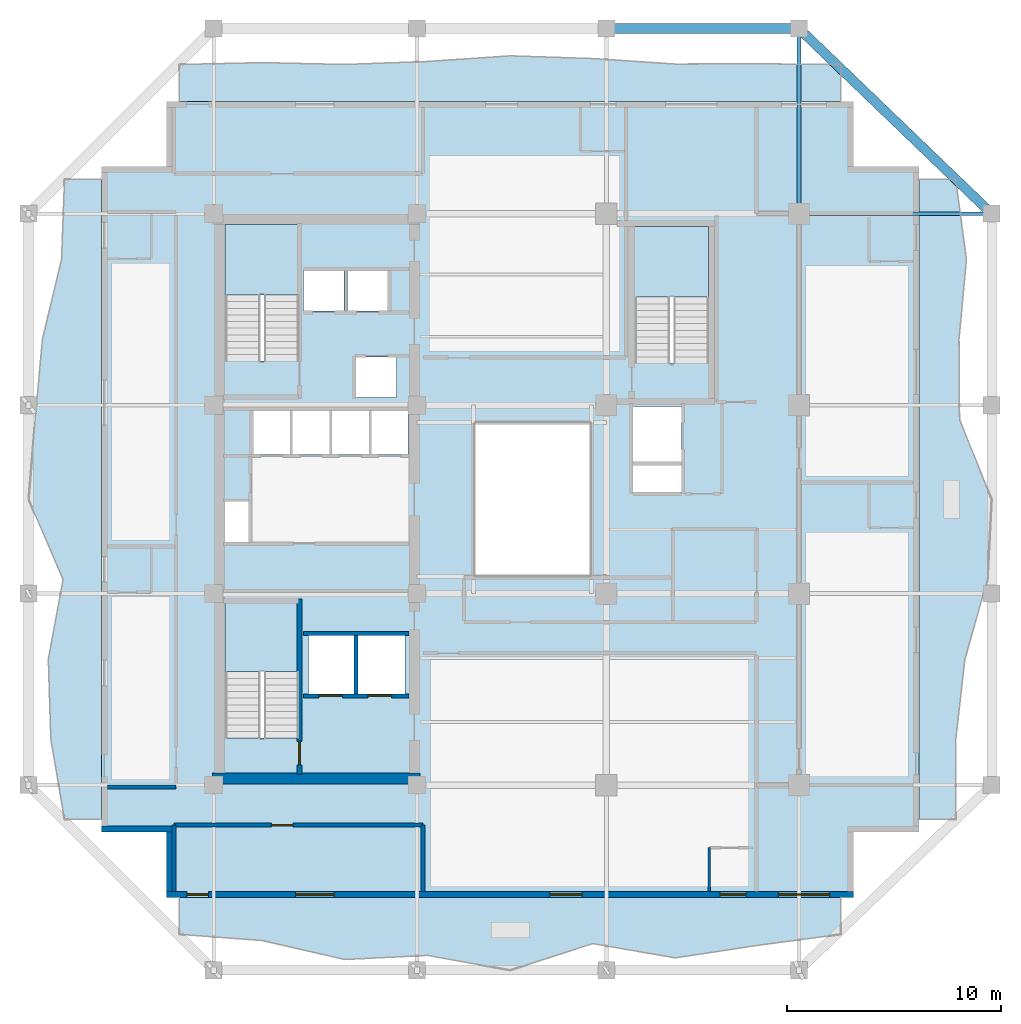
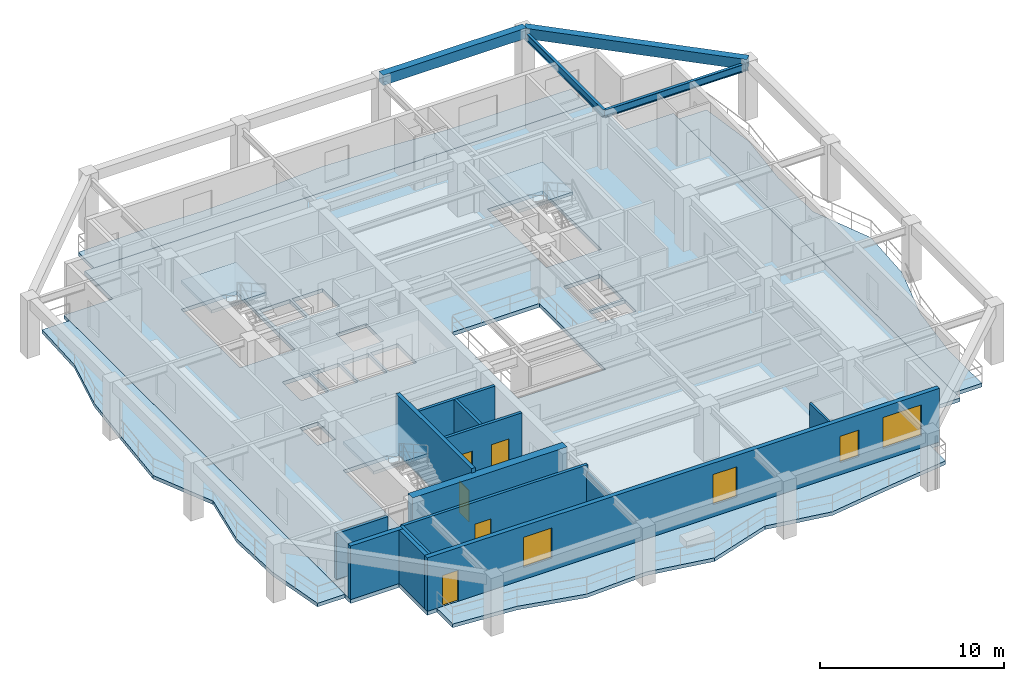
# One storey, part 2 of 10: 13 walls, 8 slabs, 5 doors, 4 beams, 4 windows, 9 openings, 3 elements without a shape of their own.
"""IFC4 building model written with IfcOpenShell, lengths in metres."""

from ifc_helpers import new_model, si_unit, direction, frame, frame_2d, origin, origin_2d, place, context, subcontext, project, spatial, polyline, rectangle, i_section, outline, extrude, material, layer, layer_set, material_profile, profile_set, type_object, element, fill, aggregate, save


model = new_model("IFC4")

# Units and contexts
model_context = context("Model", 3, precision=1e-05, world=origin(), true_north=direction((0.0, 1.0)))
body_context = subcontext(model_context, "Body", "Model", "MODEL_VIEW")
ifc_project = project(units=[si_unit("LENGTHUNIT", "METRE"), si_unit("AREAUNIT", "SQUARE_METRE"), si_unit("VOLUMEUNIT", "CUBIC_METRE"), si_unit("PLANEANGLEUNIT", "RADIAN"), si_unit("MASSUNIT", "GRAM", prefix="KILO")], contexts=[model_context])

# Site, building, storey
site_placement = place(None, origin())
site = spatial("IfcSite", under=ifc_project, at=site_placement, CompositionType="ELEMENT")
building_placement = place(site_placement, origin())
building = spatial("IfcBuilding", under=site, at=building_placement, Name="Kundavana Baori Tower", CompositionType="ELEMENT")
storey_placement = place(building_placement, frame((0.0, 0.0, 150.199951171875)))
storey = spatial("IfcBuildingStorey", under=building, at=storey_placement, Name="L36", CompositionType="ELEMENT", Elevation=150.199951171875)

# Beams
ifc_material_1 = material(Name="Concrete C50/60", Category="concrete")
ifc_material_profile_1 = material_profile(ifc_material_1, rectangle(XDim=0.449951171875, YDim=0.679931640625, at=origin_2d()), Name="RC BM 450x680")
ifc_profile_set_1 = profile_set([ifc_material_profile_1], Name="Concrete C50/60")
beam_type_1 = type_object("IfcBeamType", Name="BM-PF-680", PredefinedType="SPANDREL", material=ifc_profile_set_1)
beam_1_placement = place(storey_placement, frame((33.800048828125, 50.60009765625, 3.510009765625), z_axis=(1.0, 0.0, 0.0), x_axis=(0.0, 1.0, 0.0)))
element("IfcBeam", 1, at=beam_1_placement, inside=storey, type_object=beam_type_1, Name="L36 Perimeter Frame Ring Beam N3", PredefinedType="SPANDREL", context=body_context, shape_type="SweptSolid", body=[
    extrude(rectangle(XDim=0.449951171875, YDim=0.679931640625, at=origin_2d()), origin(), (0.0, 0.0, 1.0), 9.0),
])
beam_2_placement = place(storey_placement, frame((42.800048828125, 50.60009765625, 3.510009765625), z_axis=(0.720981122985, -0.692954702921, 0.0), x_axis=(0.692954702921, 0.720981122985, 0.0)))
element("IfcBeam", 2, at=beam_2_placement, inside=storey, type_object=beam_type_1, Name="L36 Notched Corner Perimeter Beam NE", PredefinedType="SPANDREL", context=body_context, shape_type="SweptSolid", body=[
    extrude(rectangle(XDim=0.449951171875, YDim=0.679931640625, at=origin_2d()), origin(), (0.0, 0.0, 1.0), 12.48291015625),
])
ifc_material_2 = material(Name="Structural Steel S355JR", Category="steel")
ifc_material_profile_2 = material_profile(ifc_material_2, i_section(OverallWidth=0.179931640625, OverallDepth=0.5, WebThickness=0.01025390625, FlangeThickness=0.01708984375, FilletRadius=0.01708984375, at=origin_2d()), Name="ISMB 500")
ifc_profile_set_2 = profile_set([ifc_material_profile_2], Name="Structural Steel S355JR")
beam_type_2 = type_object("IfcBeamType", Name="BM-TIE-500", PredefinedType="BEAM", material=ifc_profile_set_2)
beam_3_placement = place(storey_placement, frame((42.800048828125, 41.949951171875, 3.300048828125), z_axis=(0.0, 1.0, 0.0), x_axis=(-1.0, 0.0, 0.0)))
element("IfcBeam", 3, at=beam_3_placement, inside=storey, type_object=beam_type_2, Name="L36 North Radial Loggia Tie Beam N4", PredefinedType="BEAM", context=body_context, shape_type="SweptSolid", body=[
    extrude(i_section(OverallWidth=0.179931640625, OverallDepth=0.5, WebThickness=0.01025390625, FlangeThickness=0.01708984375, FilletRadius=0.01708984375, at=origin_2d()), origin(), (0.0, 0.0, 1.0), 8.650146484375),
])
beam_4_placement = place(storey_placement, frame((42.800048828125, 41.949951171875, 3.300048828125), z_axis=(1.0, 0.0, 0.0), x_axis=(0.0, 1.0, 0.0)))
element("IfcBeam", 4, at=beam_4_placement, inside=storey, type_object=beam_type_2, Name="L36 East Radial Loggia Tie Beam E4", PredefinedType="BEAM", context=body_context, shape_type="SweptSolid", body=[
    extrude(i_section(OverallWidth=0.179931640625, OverallDepth=0.5, WebThickness=0.01025390625, FlangeThickness=0.01708984375, FilletRadius=0.01708984375, at=origin_2d()), origin(), (0.0, 0.0, 1.0), 9.0),
])

# Slab
ifc_material_3 = material(Name="Concrete C40/50", Category="concrete")
ifc_layer_1 = layer(ifc_material_3, 0.25, Name="SLB-FLR-250")
ifc_layer_set_1 = layer_set([ifc_layer_1], Name="Concrete C40/50")
slab_type_1 = type_object("IfcSlabType", Name="SLB-FLR-250", PredefinedType="FLOOR", material=ifc_layer_set_1)
slab_1_placement = place(storey_placement, frame((0.0, 0.0, -0.25)))
element("IfcSlab", 5, at=slab_1_placement, inside=storey, type_object=slab_type_1, Name="L36 Structural Floor Slab", PredefinedType="FLOOR", context=body_context, shape_type="SweptSolid", body=[
    extrude(outline(polyline([(13.25, 10.0), (45.35009765625, 10.0), (45.35009765625, 13.050048828125), (48.39990234375, 13.050048828125), (48.39990234375, 44.14990234375), (45.35009765625, 44.14990234375), (45.35009765625, 47.199951171875), (13.25, 47.199951171875), (13.25, 44.14990234375), (10.199951171875, 44.14990234375), (10.199951171875, 13.050048828125), (13.25, 13.050048828125), (13.25, 10.0)]), holes=[polyline([(19.43994140625, 17.4619140625), (19.43994140625, 23.85009765625), (15.97998046875, 23.85009765625), (15.97998046875, 17.4619140625), (19.43994140625, 17.4619140625)]), polyline([(19.43994140625, 35.06201171875), (19.43994140625, 41.449951171875), (15.97998046875, 41.449951171875), (15.97998046875, 35.06201171875), (19.43994140625, 35.06201171875)]), polyline([(38.580078125, 34.9619140625), (38.580078125, 41.35009765625), (35.1201171875, 41.35009765625), (35.1201171875, 34.9619140625), (38.580078125, 34.9619140625)]), polyline([(17.300048828125, 30.699951171875), (19.02001953125, 30.699951171875), (19.02001953125, 32.75), (17.300048828125, 32.75), (17.300048828125, 30.699951171875)]), polyline([(19.139892578125, 30.699951171875), (20.860107421875, 30.699951171875), (20.860107421875, 32.75), (19.139892578125, 32.75), (19.139892578125, 30.699951171875)]), polyline([(20.97998046875, 30.699951171875), (22.699951171875, 30.699951171875), (22.699951171875, 32.75), (20.97998046875, 32.75), (20.97998046875, 30.699951171875)]), polyline([(22.820068359375, 30.699951171875), (24.5400390625, 30.699951171875), (24.5400390625, 32.75), (22.820068359375, 32.75), (22.820068359375, 30.699951171875)]), polyline([(19.64990234375, 37.39990234375), (21.550048828125, 37.39990234375), (21.550048828125, 39.300048828125), (19.64990234375, 39.300048828125), (19.64990234375, 37.39990234375)]), polyline([(21.699951171875, 37.39990234375), (23.60009765625, 37.39990234375), (23.60009765625, 39.300048828125), (21.699951171875, 39.300048828125), (21.699951171875, 37.39990234375)]), polyline([(22.10009765625, 33.35009765625), (24.0, 33.35009765625), (24.0, 35.25), (22.10009765625, 35.25), (22.10009765625, 33.35009765625)]), polyline([(19.8798828125, 19.5), (22.02001953125, 19.5), (22.02001953125, 22.25), (19.8798828125, 22.25), (19.8798828125, 19.5)]), polyline([(22.179931640625, 19.5), (24.3798828125, 19.5), (24.3798828125, 22.25), (22.179931640625, 22.25), (22.179931640625, 19.5)]), polyline([(35.050048828125, 30.35009765625), (37.300048828125, 30.35009765625), (37.300048828125, 32.949951171875), (35.050048828125, 32.949951171875), (35.050048828125, 30.35009765625)]), polyline([(15.949951171875, 26.60009765625), (17.080078125, 26.60009765625), (17.080078125, 28.5), (15.949951171875, 28.5), (15.949951171875, 26.60009765625)]), polyline([(35.050048828125, 28.949951171875), (37.300048828125, 28.949951171875), (37.300048828125, 30.199951171875), (35.050048828125, 30.199951171875), (35.050048828125, 28.949951171875)]), polyline([(27.60009765625, 25.0), (33.10009765625, 25.0), (33.10009765625, 32.199951171875), (27.60009765625, 32.199951171875), (27.60009765625, 25.0)])]), origin(), (0.0, 0.0, 1.0), 0.25),
])

# Stair, slab
ifc_material_4 = material(Name="Concrete C40/50", Category="concrete")
stair_type = type_object("IfcStairType", Name="STR-DOG-1650", PredefinedType="HALF_TURN_STAIR", material=ifc_material_4)
stair_1_placement = place(storey_placement, origin())
stair_1 = element("IfcStair", 6, at=stair_1_placement, inside=storey, type_object=stair_type, Name="L36 Protected Exit Stair ST1", PredefinedType="HALF_TURN_STAIR")
ifc_material_5 = material(Name="Concrete C40/50", Category="concrete")
ifc_layer_2 = layer(ifc_material_5, 0.199951171875, Name="SLB-LND-200")
ifc_layer_set_2 = layer_set([ifc_layer_2], Name="Concrete C40/50")
slab_type_2 = type_object("IfcSlabType", Name="SLB-LND-200", PredefinedType="LANDING", material=ifc_layer_set_2)
slab_2_placement = place(storey_placement, frame((0.0, 0.0, 1.72509765625)))
slab_2 = element("IfcSlab", 7, at=slab_2_placement, type_object=slab_type_2, Name="ST1 landing 1", PredefinedType="LANDING", context=body_context, shape_type="SweptSolid", body=[
    extrude(outline(polyline([(19.43994140625, 20.550048828125), (19.43994140625, 23.85009765625), (15.97998046875, 23.85009765625), (15.97998046875, 20.550048828125), (19.43994140625, 20.550048828125)])), origin(), (0.0, 0.0, 1.0), 0.199951171875),
])
aggregate(stair_1, [slab_2])

stair_2_placement = place(storey_placement, origin())
stair_2 = element("IfcStair", 8, at=stair_2_placement, inside=storey, type_object=stair_type, Name="L36 Protected Exit Stair ST2", PredefinedType="HALF_TURN_STAIR")
slab_3_placement = place(storey_placement, frame((0.0, 0.0, 1.72509765625)))
slab_3 = element("IfcSlab", 9, at=slab_3_placement, type_object=slab_type_2, Name="ST2 landing 1", PredefinedType="LANDING", context=body_context, shape_type="SweptSolid", body=[
    extrude(outline(polyline([(19.43994140625, 38.14990234375), (19.43994140625, 41.449951171875), (15.97998046875, 41.449951171875), (15.97998046875, 38.14990234375), (19.43994140625, 38.14990234375)])), origin(), (0.0, 0.0, 1.0), 0.199951171875),
])
aggregate(stair_2, [slab_3])

stair_3_placement = place(storey_placement, origin())
stair_3 = element("IfcStair", 10, at=stair_3_placement, inside=storey, type_object=stair_type, Name="L36 Protected Exit Stair ST3", PredefinedType="HALF_TURN_STAIR")
slab_4_placement = place(storey_placement, frame((0.0, 0.0, 1.72509765625)))
slab_4 = element("IfcSlab", 11, at=slab_4_placement, type_object=slab_type_2, Name="ST3 landing 1", PredefinedType="LANDING", context=body_context, shape_type="SweptSolid", body=[
    extrude(outline(polyline([(38.580078125, 38.050048828125), (38.580078125, 41.35009765625), (35.1201171875, 41.35009765625), (35.1201171875, 38.050048828125), (38.580078125, 38.050048828125)])), origin(), (0.0, 0.0, 1.0), 0.199951171875),
])
aggregate(stair_3, [slab_4])

# Slabs
ifc_material_6 = material(Name="Concrete C40/50", Category="concrete")
ifc_layer_3 = layer(ifc_material_6, 0.239990234375, Name="SLB-LOG-240")
ifc_layer_set_3 = layer_set([ifc_layer_3], Name="Concrete C40/50")
slab_type_3 = type_object("IfcSlabType", Name="SLB-LOG-240", PredefinedType="FLOOR", material=ifc_layer_set_3)
slab_5_placement = place(storey_placement, frame((0.0, 0.0, -0.239990234375)))
element("IfcSlab", 12, at=slab_5_placement, inside=storey, type_object=slab_type_3, Name="L36 Planted Loggia Balcony Slab S", PredefinedType="FLOOR", context=body_context, shape_type="SweptSolid", body=[
    extrude(outline(polyline([(13.85009765625, 10.0), (44.75, 10.0), (44.75, 8.280029296875), (40.886962890625, 7.76708984375), (37.02490234375, 7.177978515625), (33.1630859375, 7.844970703125), (29.300048828125, 6.60009765625), (25.43798828125, 7.294921875), (21.574951171875, 7.10205078125), (17.7119140625, 7.988037109375), (13.85009765625, 8.280029296875), (13.85009765625, 10.0)])), origin(), (0.0, 0.0, 1.0), 0.239990234375),
])
slab_6_placement = place(storey_placement, frame((0.0, 0.0, -0.239990234375)))
element("IfcSlab", 13, at=slab_6_placement, inside=storey, type_object=slab_type_3, Name="L36 Planted Loggia Balcony Slab E", PredefinedType="FLOOR", context=body_context, shape_type="SweptSolid", body=[
    extrude(outline(polyline([(48.39990234375, 13.64990234375), (48.39990234375, 43.550048828125), (50.1201171875, 43.550048828125), (50.623046875, 39.81201171875), (50.27392578125, 36.074951171875), (50.300048828125, 32.3369140625), (51.800048828125, 28.60009765625), (51.60595703125, 24.862060546875), (50.551025390625, 21.125), (50.123046875, 17.386962890625), (50.1201171875, 13.64990234375), (48.39990234375, 13.64990234375)])), origin(), (0.0, 0.0, 1.0), 0.239990234375),
])
slab_7_placement = place(storey_placement, frame((0.0, 0.0, -0.239990234375)))
element("IfcSlab", 14, at=slab_7_placement, inside=storey, type_object=slab_type_3, Name="L36 Planted Loggia Balcony Slab N", PredefinedType="FLOOR", context=body_context, shape_type="SweptSolid", body=[
    extrude(outline(polyline([(44.75, 47.199951171875), (13.85009765625, 47.199951171875), (13.85009765625, 48.919921875), (17.7119140625, 49.008056640625), (21.574951171875, 48.922119140625), (25.43798828125, 49.06201171875), (29.300048828125, 49.325927734375), (33.1630859375, 49.198974609375), (37.02490234375, 48.94189453125), (40.886962890625, 48.952880859375), (44.75, 48.919921875), (44.75, 47.199951171875)])), origin(), (0.0, 0.0, 1.0), 0.239990234375),
])
slab_8_placement = place(storey_placement, frame((0.0, 0.0, -0.239990234375)))
element("IfcSlab", 15, at=slab_8_placement, inside=storey, type_object=slab_type_3, Name="L36 Planted Loggia Balcony Slab W", PredefinedType="FLOOR", context=body_context, shape_type="SweptSolid", body=[
    extrude(outline(polyline([(10.199951171875, 43.550048828125), (10.199951171875, 13.64990234375), (8.47998046875, 13.64990234375), (7.840087890625, 17.386962890625), (7.722900390625, 21.125), (8.4140625, 24.862060546875), (6.800048828125, 28.60009765625), (7.10791015625, 32.3369140625), (7.446044921875, 36.074951171875), (8.340087890625, 39.81201171875), (8.47998046875, 43.550048828125), (10.199951171875, 43.550048828125)])), origin(), (0.0, 0.0, 1.0), 0.239990234375),
])

# Wall, opening, door
ifc_material_7 = material(Name="Concrete C50/60", Category="concrete")
ifc_layer_4 = layer(ifc_material_7, 0.39990234375, Name="WL-CORE-400")
ifc_layer_set_4 = layer_set([ifc_layer_4], Name="Concrete C50/60")
wall_type_1 = type_object("IfcWallType", Name="WL-CORE-400", PredefinedType="SHEAR", material=ifc_layer_set_4)
wall_1_placement = place(storey_placement, frame((19.4599609375, 15.739990234375, 0.0), z_axis=(0.0, 0.0, 1.0), x_axis=(0.0, 1.0, 0.0)))
wall_1 = element("IfcWall", 16, at=wall_1_placement, inside=storey, type_object=wall_type_1, Name="WL-L36-ST1-E", PredefinedType="SHEAR", context=body_context, shape_type="SweptSolid", body=[
    extrude(rectangle(XDim=8.199951171875, YDim=0.239990234375, at=frame_2d((4.10009765625, 0.0))), origin(), (0.0, 0.0, 1.0), 3.85009765625),
])
opening_1_placement = place(wall_1_placement, frame((0.449951171875, 0.0, 0.0)))
opening_1 = element("IfcOpeningElement", 17, at=opening_1_placement, cuts=wall_1, Name="Opening FD-110", PredefinedType="OPENING", context=body_context, shape_type="SweptSolid", body=[
    extrude(rectangle(XDim=1.10009765625, YDim=2.10009765625, at=frame_2d((0.550048828125, 1.050048828125))), frame((0.0, 0.1298828125, 0.0), z_axis=(0.0, -1.0, 0.0), x_axis=(1.0, 0.0, 0.0)), (0.0, 0.0, 1.0), 0.260009765625),
])
ifc_material_8 = material(Name="Galvanised Steel Fire-Rated Door Leaf", Category="steel")
door_type_1 = type_object("IfcDoorType", Name="DR-FD120-1100", OperationType="NOTDEFINED", PredefinedType="DOOR", material=ifc_material_8)
door_1_placement = place(opening_1_placement, origin())
door_1 = element("IfcDoor", 18, at=door_1_placement, inside=storey, type_object=door_type_1, Name="DR-L36-ST1", OperationType="SINGLE_SWING_LEFT", OverallHeight=2.10009765625, OverallWidth=1.10009765625, PredefinedType="DOOR", context=body_context, shape_type="SweptSolid", body=[
    extrude(rectangle(XDim=1.10009765625, YDim=2.10009765625, at=frame_2d((0.550048828125, 1.050048828125))), frame((0.0, 0.02490234375, 0.0), z_axis=(0.0, -1.0, 0.0), x_axis=(1.0, 0.0, 0.0)), (0.0, 0.0, 1.0), 0.050048828125),
])
fill(opening_1, door_1)

# Wall
ifc_material_9 = material(Name="Concrete C50/60", Category="concrete")
ifc_layer_5 = layer(ifc_material_9, 0.5, Name="WL-CORE-500")
ifc_layer_set_5 = layer_set([ifc_layer_5], Name="Concrete C50/60")
wall_type_2 = type_object("IfcWallType", Name="WL-CORE-500", PredefinedType="SHEAR", material=ifc_layer_set_5)
wall_2_placement = place(storey_placement, frame((15.39990234375, 15.56005859375, 0.0), z_axis=(0.0, 0.0, 1.0), x_axis=(1.0, 0.0, 0.0)))
element("IfcWall", 19, at=wall_2_placement, inside=storey, type_object=wall_type_2, Name="L36 Offset Core South Shear Wall", PredefinedType="SHEAR", context=body_context, shape_type="SweptSolid", body=[
    extrude(rectangle(XDim=9.68017578125, YDim=0.5, at=frame_2d((4.840087890625, 0.0))), origin(), (0.0, 0.0, 1.0), 3.550048828125),
])

# Wall, openings, door, windows
ifc_material_10 = material(Name="Red-Buff Dholpur Sandstone Cladding on Concrete C40/50", Category="masonry")
ifc_layer_6 = layer(ifc_material_10, 0.280029296875, Name="WL-EXT-SAND-280")
ifc_layer_set_6 = layer_set([ifc_layer_6], Name="Red-Buff Dholpur Sandstone Cladding on Concrete C40/50")
wall_type_3 = type_object("IfcWallType", Name="WL-EXT-SAND-280", PredefinedType="STANDARD", material=ifc_layer_set_6)
wall_3_placement = place(storey_placement, frame((13.25, 10.139892578125, 0.0), z_axis=(0.0, 0.0, 1.0), x_axis=(1.0, 0.0, 0.0)))
wall_3 = element("IfcWall", 20, at=wall_3_placement, inside=storey, type_object=wall_type_3, Name="L36 Exterior Insulated Facade Wall 01", PredefinedType="STANDARD", context=body_context, shape_type="SweptSolid", body=[
    extrude(rectangle(XDim=32.10009765625, YDim=0.280029296875, at=frame_2d((16.050048828125, 0.0))), origin(), (0.0, 0.0, 1.0), 3.550048828125),
])
opening_2_placement = place(wall_3_placement, frame((0.949951171875, 0.0, 0.0)))
opening_2 = element("IfcOpeningElement", 21, at=opening_2_placement, cuts=wall_3, Name="Opening BD-1", PredefinedType="OPENING", context=body_context, shape_type="SweptSolid", body=[
    extrude(rectangle(XDim=1.0, YDim=2.050048828125, at=frame_2d((0.5, 1.02490234375))), frame((0.0, 0.14990234375, 0.0), z_axis=(0.0, -1.0, 0.0), x_axis=(1.0, 0.0, 0.0)), (0.0, 0.0, 1.0), 0.300048828125),
])
opening_3_placement = place(wall_3_placement, frame((6.030029296875, 0.0, 0.800048828125)))
opening_3 = element("IfcOpeningElement", 22, at=opening_3_placement, cuts=wall_3, Name="Opening W-01", PredefinedType="OPENING", context=body_context, shape_type="SweptSolid", body=[
    extrude(rectangle(XDim=1.800048828125, YDim=2.0, at=frame_2d((0.89990234375, 1.0))), frame((0.0, 0.14990234375, 0.0), z_axis=(0.0, -1.0, 0.0), x_axis=(1.0, 0.0, 0.0)), (0.0, 0.0, 1.0), 0.300048828125),
])
opening_4_placement = place(wall_3_placement, frame((17.9150390625, 0.0, 0.800048828125)))
opening_4 = element("IfcOpeningElement", 23, at=opening_4_placement, cuts=wall_3, Name="Opening W-02", PredefinedType="OPENING", context=body_context, shape_type="SweptSolid", body=[
    extrude(rectangle(XDim=1.5, YDim=2.0, at=frame_2d((0.75, 1.0))), frame((0.0, 0.14990234375, 0.0), z_axis=(0.0, -1.0, 0.0), x_axis=(1.0, 0.0, 0.0)), (0.0, 0.0, 1.0), 0.300048828125),
])
opening_5_placement = place(wall_3_placement, frame((25.864990234375, 0.0, 0.800048828125)))
opening_5 = element("IfcOpeningElement", 24, at=opening_5_placement, cuts=wall_3, Name="Opening W-03", PredefinedType="OPENING", context=body_context, shape_type="SweptSolid", body=[
    extrude(rectangle(XDim=1.199951171875, YDim=1.75, at=frame_2d((0.60009765625, 0.875))), frame((0.0, 0.14990234375, 0.0), z_axis=(0.0, -1.0, 0.0), x_axis=(1.0, 0.0, 0.0)), (0.0, 0.0, 1.0), 0.300048828125),
])
opening_6_placement = place(wall_3_placement, frame((28.580078125, 0.0, 0.800048828125)))
opening_6 = element("IfcOpeningElement", 25, at=opening_6_placement, cuts=wall_3, Name="Opening W-04", PredefinedType="OPENING", context=body_context, shape_type="SweptSolid", body=[
    extrude(rectangle(XDim=2.39990234375, YDim=2.050048828125, at=frame_2d((1.199951171875, 1.02490234375))), frame((0.0, 0.14990234375, 0.0), z_axis=(0.0, -1.0, 0.0), x_axis=(1.0, 0.0, 0.0)), (0.0, 0.0, 1.0), 0.300048828125),
])
ifc_material_11 = material(Name="Architectural Patinated Bronze Metalwork")
door_type_2 = type_object("IfcDoorType", Name="DR-EXT-LOG-1000", OperationType="NOTDEFINED", PredefinedType="DOOR", material=ifc_material_11)
door_2_placement = place(opening_2_placement, frame((1.0, 0.0, 0.0), z_axis=(0.0, 0.0, 1.0), x_axis=(-1.0, 0.0, 0.0)))
door_2 = element("IfcDoor", 26, at=door_2_placement, inside=storey, type_object=door_type_2, Name="L36 Loggia Balcony Access Door S", OperationType="SINGLE_SWING_LEFT", OverallHeight=2.050048828125, OverallWidth=1.0, PredefinedType="DOOR", context=body_context, shape_type="SweptSolid", body=[
    extrude(rectangle(XDim=1.0, YDim=2.050048828125, at=frame_2d((0.5, 1.02490234375))), frame((0.0, 0.02490234375, 0.0), z_axis=(0.0, -1.0, 0.0), x_axis=(1.0, 0.0, 0.0)), (0.0, 0.0, 1.0), 0.050048828125),
])
fill(opening_2, door_2)
ifc_material_12 = material(Name="Double-Glazed Solar-Control Low-E Insulated Glass", Category="glass")
window_type_1 = type_object("IfcWindowType", Name="WIN-LOG-1200x1750", PartitioningType="SINGLE_PANEL", PredefinedType="WINDOW", material=ifc_material_12)
window_1_placement = place(opening_5_placement, origin())
window_1 = element("IfcWindow", 27, at=window_1_placement, inside=storey, type_object=window_type_1, Name="L36 Recessed Loggia Window S-3", OverallHeight=1.75, OverallWidth=1.199951171875, PartitioningType="SINGLE_PANEL", PredefinedType="WINDOW", context=body_context, shape_type="SweptSolid", body=[
    extrude(rectangle(XDim=1.199951171875, YDim=1.75, at=frame_2d((0.60009765625, 0.875))), frame((0.0, 0.030029296875, 0.0), z_axis=(0.0, -1.0, 0.0), x_axis=(1.0, 0.0, 0.0)), (0.0, 0.0, 1.0), 0.06005859375),
])
fill(opening_5, window_1)
ifc_material_13 = material(Name="Double-Glazed Solar-Control Low-E Insulated Glass", Category="glass")
window_type_2 = type_object("IfcWindowType", Name="WIN-LOG-1500x2000", PartitioningType="SINGLE_PANEL", PredefinedType="WINDOW", material=ifc_material_13)
window_2_placement = place(opening_4_placement, origin())
window_2 = element("IfcWindow", 28, at=window_2_placement, inside=storey, type_object=window_type_2, Name="L36 Recessed Loggia Window S-2", OverallHeight=2.0, OverallWidth=1.5, PartitioningType="SINGLE_PANEL", PredefinedType="WINDOW", context=body_context, shape_type="SweptSolid", body=[
    extrude(rectangle(XDim=1.5, YDim=2.0, at=frame_2d((0.75, 1.0))), frame((0.0, 0.030029296875, 0.0), z_axis=(0.0, -1.0, 0.0), x_axis=(1.0, 0.0, 0.0)), (0.0, 0.0, 1.0), 0.06005859375),
])
fill(opening_4, window_2)
ifc_material_14 = material(Name="Double-Glazed Solar-Control Low-E Insulated Glass", Category="glass")
window_type_3 = type_object("IfcWindowType", Name="WIN-LOG-1800x2000", PartitioningType="SINGLE_PANEL", PredefinedType="WINDOW", material=ifc_material_14)
window_3_placement = place(opening_3_placement, origin())
window_3 = element("IfcWindow", 29, at=window_3_placement, inside=storey, type_object=window_type_3, Name="L36 Recessed Loggia Window S-1", OverallHeight=2.0, OverallWidth=1.800048828125, PartitioningType="SINGLE_PANEL", PredefinedType="WINDOW", context=body_context, shape_type="SweptSolid", body=[
    extrude(rectangle(XDim=1.800048828125, YDim=2.0, at=frame_2d((0.89990234375, 1.0))), frame((0.0, 0.030029296875, 0.0), z_axis=(0.0, -1.0, 0.0), x_axis=(1.0, 0.0, 0.0)), (0.0, 0.0, 1.0), 0.06005859375),
])
fill(opening_3, window_3)
ifc_material_15 = material(Name="Double-Glazed Solar-Control Low-E Insulated Glass", Category="glass")
window_type_4 = type_object("IfcWindowType", Name="WIN-LOG-2400x2050", PartitioningType="SINGLE_PANEL", PredefinedType="WINDOW", material=ifc_material_15)
window_4_placement = place(opening_6_placement, origin())
window_4 = element("IfcWindow", 30, at=window_4_placement, inside=storey, type_object=window_type_4, Name="L36 Recessed Loggia Window S-4", OverallHeight=2.050048828125, OverallWidth=2.39990234375, PartitioningType="SINGLE_PANEL", PredefinedType="WINDOW", context=body_context, shape_type="SweptSolid", body=[
    extrude(rectangle(XDim=2.39990234375, YDim=2.050048828125, at=frame_2d((1.199951171875, 1.02490234375))), frame((0.0, 0.030029296875, 0.0), z_axis=(0.0, -1.0, 0.0), x_axis=(1.0, 0.0, 0.0)), (0.0, 0.0, 1.0), 0.06005859375),
])
fill(opening_6, window_4)

# Walls
wall_4_placement = place(storey_placement, frame((10.199951171875, 13.18994140625, 0.0), z_axis=(0.0, 0.0, 1.0), x_axis=(1.0, 0.0, 0.0)))
element("IfcWall", 31, at=wall_4_placement, inside=storey, type_object=wall_type_3, Name="L36 Exterior Insulated Facade Wall 11", PredefinedType="STANDARD", context=body_context, shape_type="SweptSolid", body=[
    extrude(rectangle(XDim=3.330078125, YDim=0.280029296875, at=frame_2d((1.6650390625, 0.0))), origin(), (0.0, 0.0, 1.0), 3.550048828125),
])
wall_5_placement = place(storey_placement, frame((13.389892578125, 13.050048828125, 0.0), z_axis=(0.0, 0.0, 1.0), x_axis=(0.0, -1.0, 0.0)))
element("IfcWall", 32, at=wall_5_placement, inside=storey, type_object=wall_type_3, Name="L36 Exterior Insulated Facade Wall 12", PredefinedType="STANDARD", context=body_context, shape_type="SweptSolid", body=[
    extrude(rectangle(XDim=2.77001953125, YDim=0.280029296875, at=frame_2d((1.385009765625, 0.0))), origin(), (0.0, 0.0, 1.0), 3.550048828125),
])
ifc_material_16 = material(Name="Autoclaved Aerated Concrete Blockwork Masonry", Category="masonry")
ifc_layer_7 = layer(ifc_material_16, 0.18505859375, Name="WL-PART-180")
ifc_layer_set_7 = layer_set([ifc_layer_7], Name="Autoclaved Aerated Concrete Blockwork Masonry")
wall_type_4 = type_object("IfcWallType", Name="WL-PART-180", PredefinedType="SOLIDWALL", material=ifc_layer_set_7)
wall_6_placement = place(storey_placement, frame((10.47998046875, 15.159912109375, 0.0), z_axis=(0.0, 0.0, 1.0), x_axis=(1.0, 0.0, 0.0)))
element("IfcWall", 33, at=wall_6_placement, inside=storey, type_object=wall_type_4, Name="WL-L36-HWS", PredefinedType="SOLIDWALL", context=body_context, shape_type="SweptSolid", body=[
    extrude(rectangle(XDim=3.219970703125, YDim=0.18505859375, at=frame_2d((1.60986328125, 0.0))), origin(), (0.0, 0.0, 1.0), 3.050048828125),
])

# Wall, opening, door
wall_7_placement = place(storey_placement, frame((13.590087890625, 13.3798828125, 0.0), z_axis=(0.0, 0.0, 1.0), x_axis=(1.0, 0.0, 0.0)))
wall_7 = element("IfcWall", 34, at=wall_7_placement, inside=storey, type_object=wall_type_4, Name="WL-L36-HSC", PredefinedType="SOLIDWALL", context=body_context, shape_type="SweptSolid", body=[
    extrude(rectangle(XDim=11.6298828125, YDim=0.18505859375, at=frame_2d((5.81494140625, 0.0))), origin(), (0.0, 0.0, 1.0), 3.550048828125),
])
opening_7_placement = place(wall_7_placement, frame((4.56005859375, 0.0, 0.0)))
opening_7 = element("IfcOpeningElement", 35, at=opening_7_placement, cuts=wall_7, Name="Opening ID-100", PredefinedType="OPENING", context=body_context, shape_type="SweptSolid", body=[
    extrude(rectangle(XDim=1.0, YDim=2.080078125, at=frame_2d((0.5, 1.0400390625))), frame((0.0, 0.1025390625, 0.0), z_axis=(0.0, -1.0, 0.0), x_axis=(1.0, 0.0, 0.0)), (0.0, 0.0, 1.0), 0.205078125),
])
ifc_material_17 = material(Name="Engineered Teak Solid-Core Timber Veneer", Category="wood")
door_type_3 = type_object("IfcDoorType", Name="DR-INT-1000", OperationType="NOTDEFINED", PredefinedType="DOOR", material=ifc_material_17)
door_3_placement = place(opening_7_placement, frame((1.0, 0.0, 0.0), z_axis=(0.0, 0.0, 1.0), x_axis=(-1.0, 0.0, 0.0)))
door_3 = element("IfcDoor", 36, at=door_3_placement, inside=storey, type_object=door_type_3, Name="DR-L36-HMSW", OperationType="SINGLE_SWING_LEFT", OverallHeight=2.080078125, OverallWidth=1.0, PredefinedType="DOOR", context=body_context, shape_type="SweptSolid", body=[
    extrude(rectangle(XDim=1.0, YDim=2.080078125, at=frame_2d((0.5, 1.0400390625))), frame((0.0, 0.02490234375, 0.0), z_axis=(0.0, -1.0, 0.0), x_axis=(1.0, 0.0, 0.0)), (0.0, 0.0, 1.0), 0.050048828125),
])
fill(opening_7, door_3)

# Walls
wall_8_placement = place(storey_placement, frame((13.590087890625, 10.280029296875, 0.0), z_axis=(0.0, 0.0, 1.0), x_axis=(0.0, 1.0, 0.0)))
element("IfcWall", 37, at=wall_8_placement, inside=storey, type_object=wall_type_4, Name="WL-L36-HSCW", PredefinedType="SOLIDWALL", context=body_context, shape_type="SweptSolid", body=[
    extrude(rectangle(XDim=3.099853515625, YDim=0.18505859375, at=frame_2d((1.5498046875, 0.0))), origin(), (0.0, 0.0, 1.0), 3.550048828125),
])
wall_9_placement = place(storey_placement, frame((25.219970703125, 10.280029296875, 0.0), z_axis=(0.0, 0.0, 1.0), x_axis=(0.0, 1.0, 0.0)))
element("IfcWall", 38, at=wall_9_placement, inside=storey, type_object=wall_type_4, Name="WL-L36-HSCE", PredefinedType="SOLIDWALL", context=body_context, shape_type="SweptSolid", body=[
    extrude(rectangle(XDim=3.099853515625, YDim=0.18505859375, at=frame_2d((1.5498046875, 0.0))), origin(), (0.0, 0.0, 1.0), 3.050048828125),
])

# Wall, openings, doors
ifc_material_18 = material(Name="Autoclaved Aerated Concrete Blockwork Masonry", Category="masonry")
ifc_layer_8 = layer(ifc_material_18, 0.179931640625, Name="WL-SHAFT-180")
ifc_layer_set_8 = layer_set([ifc_layer_8], Name="Autoclaved Aerated Concrete Blockwork Masonry")
wall_type_5 = type_object("IfcWallType", Name="WL-SHAFT-180", PredefinedType="SOLIDWALL", material=ifc_layer_set_8)
wall_10_placement = place(storey_placement, frame((19.639892578125, 19.419921875, 0.0), z_axis=(0.0, 0.0, 1.0), x_axis=(1.0, 0.0, 0.0)))
wall_10 = element("IfcWall", 39, at=wall_10_placement, inside=storey, type_object=wall_type_5, Name="WL-L36-FFL-S", PredefinedType="SOLIDWALL", context=body_context, shape_type="SweptSolid", body=[
    extrude(rectangle(XDim=4.940185546875, YDim=0.179931640625, at=frame_2d((2.47021484375, 0.0))), origin(), (0.0, 0.0, 1.0), 3.550048828125),
])
opening_8_placement = place(wall_10_placement, frame((0.719970703125, 0.0, 0.0)))
opening_8 = element("IfcOpeningElement", 40, at=opening_8_placement, cuts=wall_10, Name="Opening LD-110", PredefinedType="OPENING", context=body_context, shape_type="SweptSolid", body=[
    extrude(rectangle(XDim=1.10009765625, YDim=2.10009765625, at=frame_2d((0.550048828125, 1.050048828125))), frame((0.0, 0.10009765625, 0.0), z_axis=(0.0, -1.0, 0.0), x_axis=(1.0, 0.0, 0.0)), (0.0, 0.0, 1.0), 0.199951171875),
])
opening_9_placement = place(wall_10_placement, frame((3.02001953125, 0.0, 0.0)))
opening_9 = element("IfcOpeningElement", 41, at=opening_9_placement, cuts=wall_10, Name="Opening LD-110", PredefinedType="OPENING", context=body_context, shape_type="SweptSolid", body=[
    extrude(rectangle(XDim=1.10009765625, YDim=2.10009765625, at=frame_2d((0.550048828125, 1.050048828125))), frame((0.0, 0.10009765625, 0.0), z_axis=(0.0, -1.0, 0.0), x_axis=(1.0, 0.0, 0.0)), (0.0, 0.0, 1.0), 0.199951171875),
])
ifc_material_19 = material(Name="Galvanised Steel Fire-Rated Door Leaf", Category="steel")
door_type_4 = type_object("IfcDoorType", Name="DR-SLIDE-LD1100", OperationType="NOTDEFINED", PredefinedType="DOOR", material=ifc_material_19)
door_4_placement = place(opening_8_placement, origin())
door_4 = element("IfcDoor", 42, at=door_4_placement, inside=storey, type_object=door_type_4, Name="DR-L36-LD-FFL-1", OperationType="DOUBLE_DOOR_SLIDING", OverallHeight=2.10009765625, OverallWidth=1.10009765625, PredefinedType="DOOR", context=body_context, shape_type="SweptSolid", body=[
    extrude(rectangle(XDim=1.10009765625, YDim=2.10009765625, at=frame_2d((0.550048828125, 1.050048828125))), frame((0.0, 0.02490234375, 0.0), z_axis=(0.0, -1.0, 0.0), x_axis=(1.0, 0.0, 0.0)), (0.0, 0.0, 1.0), 0.050048828125),
])
fill(opening_8, door_4)
door_5_placement = place(opening_9_placement, origin())
door_5 = element("IfcDoor", 43, at=door_5_placement, inside=storey, type_object=door_type_4, Name="DR-L36-LD-FFL-2", OperationType="DOUBLE_DOOR_SLIDING", OverallHeight=2.10009765625, OverallWidth=1.10009765625, PredefinedType="DOOR", context=body_context, shape_type="SweptSolid", body=[
    extrude(rectangle(XDim=1.10009765625, YDim=2.10009765625, at=frame_2d((0.550048828125, 1.050048828125))), frame((0.0, 0.02490234375, 0.0), z_axis=(0.0, -1.0, 0.0), x_axis=(1.0, 0.0, 0.0)), (0.0, 0.0, 1.0), 0.050048828125),
])
fill(opening_9, door_5)

# Walls
wall_11_placement = place(storey_placement, frame((22.10009765625, 19.510009765625, 0.0), z_axis=(0.0, 0.0, 1.0), x_axis=(0.0, 1.0, 0.0)))
element("IfcWall", 44, at=wall_11_placement, inside=storey, type_object=wall_type_5, Name="WL-L36-FFL-MID", PredefinedType="SOLIDWALL", context=body_context, shape_type="SweptSolid", body=[
    extrude(rectangle(XDim=2.739990234375, YDim=0.179931640625, at=frame_2d((1.3701171875, 0.0))), origin(), (0.0, 0.0, 1.0), 3.550048828125),
])
wall_12_placement = place(storey_placement, frame((19.639892578125, 22.340087890625, 0.0), z_axis=(0.0, 0.0, 1.0), x_axis=(1.0, 0.0, 0.0)))
element("IfcWall", 45, at=wall_12_placement, inside=storey, type_object=wall_type_5, Name="WL-L36-FFL-N", PredefinedType="SOLIDWALL", context=body_context, shape_type="SweptSolid", body=[
    extrude(rectangle(XDim=4.940185546875, YDim=0.179931640625, at=frame_2d((2.47021484375, 0.0))), origin(), (0.0, 0.0, 1.0), 3.550048828125),
])
ifc_material_20 = material(Name="Autoclaved Aerated Concrete Blockwork Masonry", Category="masonry")
ifc_layer_9 = layer(ifc_material_20, 0.125, Name="WL-WET-120")
ifc_layer_set_9 = layer_set([ifc_layer_9], Name="Autoclaved Aerated Concrete Blockwork Masonry")
wall_type_6 = type_object("IfcWallType", Name="WL-WET-120", PredefinedType="PLUMBINGWALL", material=ifc_layer_set_9)
wall_13_placement = place(storey_placement, frame((38.610107421875, 10.280029296875, 0.0), z_axis=(0.0, 0.0, 1.0), x_axis=(0.0, 1.0, 0.0)))
element("IfcWall", 46, at=wall_13_placement, inside=storey, type_object=wall_type_6, Name="WL-L36-HK-S1-BW", PredefinedType="PLUMBINGWALL", context=body_context, shape_type="SweptSolid", body=[
    extrude(rectangle(XDim=2.050048828125, YDim=0.125, at=frame_2d((1.02490234375, 0.0))), origin(), (0.0, 0.0, 1.0), 3.550048828125),
])

save(model, "model.ifc")
